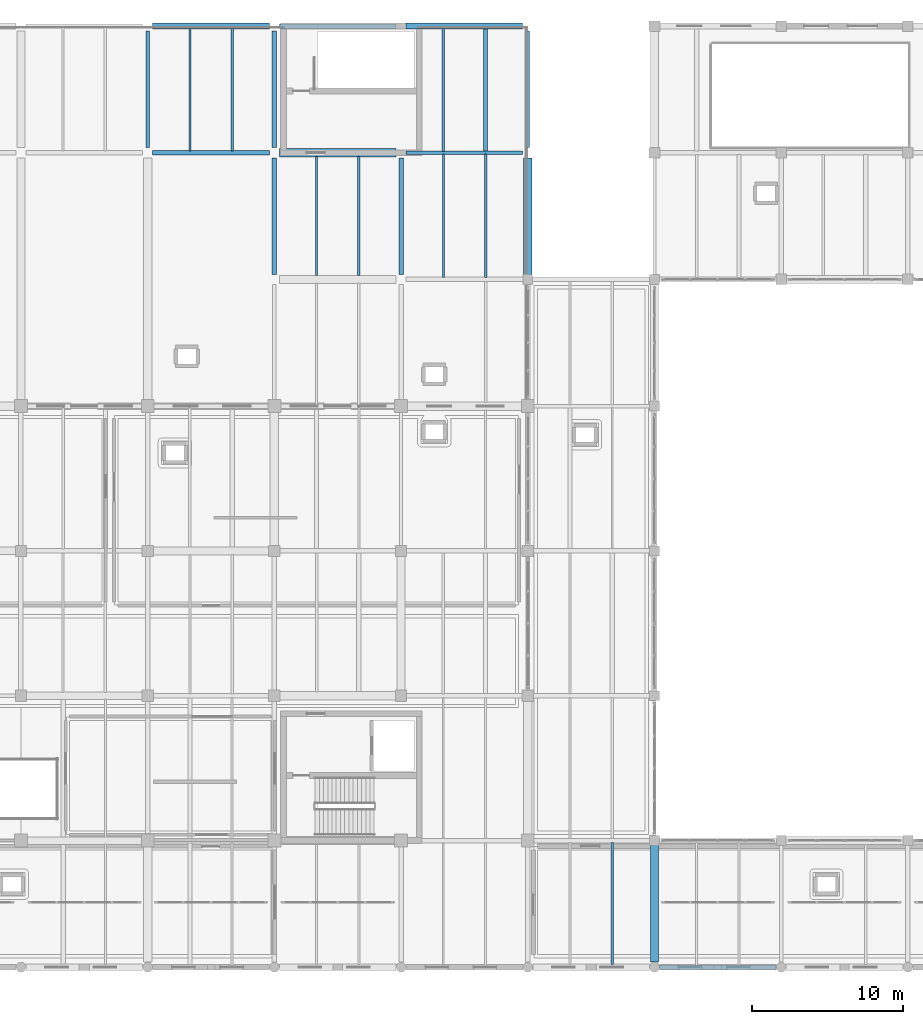
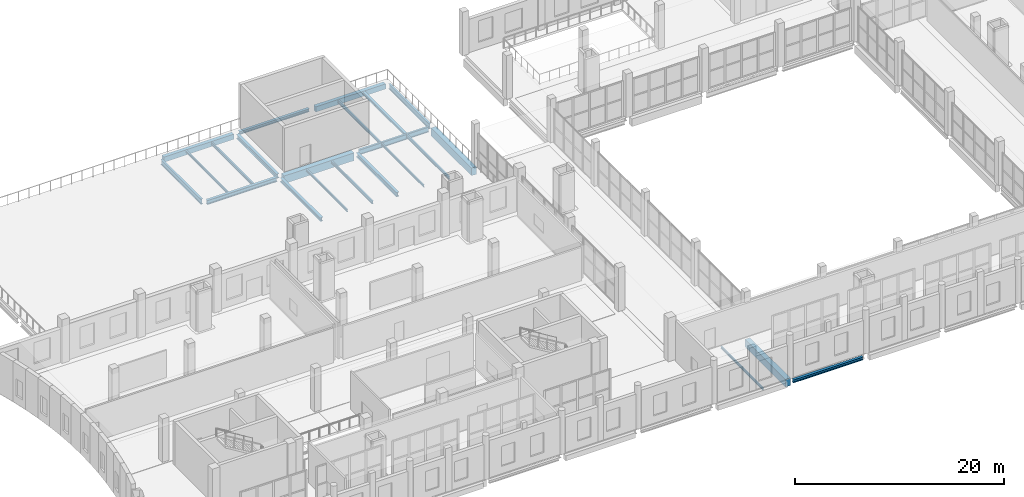
# One storey, part 16 of 73: 23 beams.
"""IFC4 building model written with IfcOpenShell, lengths in metres."""

from ifc_helpers import new_model, si_unit, direction, frame, origin, origin_2d, place, context, subcontext, project, spatial, rectangle, i_section, extrude, material, material_profile, profile_set, type_object, element, save


model = new_model("IFC4")

# Units and contexts
model_context = context("Model", 3, precision=1e-05, world=origin(), true_north=direction((0.0, 1.0)))
body_context = subcontext(model_context, "Body", "Model", "MODEL_VIEW")
ifc_project = project(units=[si_unit("LENGTHUNIT", "METRE"), si_unit("AREAUNIT", "SQUARE_METRE"), si_unit("VOLUMEUNIT", "CUBIC_METRE"), si_unit("PLANEANGLEUNIT", "RADIAN"), si_unit("MASSUNIT", "GRAM", prefix="KILO")], contexts=[model_context])

# Site, building, storey
site_placement = place(None, origin())
site = spatial("IfcSite", under=ifc_project, at=site_placement, CompositionType="ELEMENT")
building_placement = place(site_placement, origin())
building = spatial("IfcBuilding", under=site, at=building_placement, Name="Zulmaris Art Gallery", CompositionType="ELEMENT")
storey_placement = place(building_placement, frame((0.0, 0.0, 10.5)))
storey = spatial("IfcBuildingStorey", under=building, at=storey_placement, Name="L02", CompositionType="ELEMENT", Elevation=10.5)

# Beams
ifc_material_1 = material(Name="Steel S355J2", Category="steel")
ifc_material_profile_1 = material_profile(ifc_material_1, i_section(OverallWidth=0.219970703125, OverallDepth=0.60009765625, WebThickness=0.011962890625, FlangeThickness=0.01904296875, FilletRadius=0.02392578125, at=origin_2d()), Name="IPE 600")
ifc_profile_set_1 = profile_set([ifc_material_profile_1], Name="Steel S355J2")
beam_type_1 = type_object("IfcBeamType", Name="BEAM-BM07", PredefinedType="BEAM", material=ifc_profile_set_1)
for number, where, z_axis, x_axis, name in (
    (1, (74.735107421875, 67.199951171875, -0.699951171875), (1.0, 0.0, 0.0), (0.0, 1.0, 0.0), "L02 X-girder (74.4..82.8, y=67.2)"),
    (2, (57.60009765625, 67.534912109375, -0.699951171875), (0.0, 1.0, 0.0), (-1.0, 0.0, 0.0), "L02 Y-girder (x=57.6, 67.2..75.6)"),
    (3, (82.800048828125, 67.534912109375, -0.695068359375), (0.0, 1.0, 0.0), (-1.0, 0.0, 0.0), "L02 Y-girder (x=82.8, 67.2..75.6)"),
):
    element("IfcBeam", number, at=place(storey_placement, frame(where, z_axis=z_axis, x_axis=x_axis)), inside=storey, type_object=beam_type_1, Name=name, PredefinedType="BEAM", context=body_context, shape_type="SweptSolid", body=[
        extrude(i_section(OverallWidth=0.219970703125, OverallDepth=0.60009765625, WebThickness=0.011962890625, FlangeThickness=0.01904296875, FilletRadius=0.02392578125, at=origin_2d()), origin(), (0.0, 0.0, 1.0), 7.72998046875),
    ])
ifc_material_profile_2 = material_profile(ifc_material_1, i_section(OverallWidth=0.300048828125, OverallDepth=0.43994140625, WebThickness=0.011474609375, FlangeThickness=0.02099609375, FilletRadius=0.027099609375, at=origin_2d()), Name="HEA 450")
ifc_profile_set_2 = profile_set([ifc_material_profile_2], Name="Steel S355J2")
beam_type_2 = type_object("IfcBeamType", Name="BEAM-BM10", PredefinedType="BEAM", material=ifc_profile_set_2)
beam_1_placement = place(storey_placement, frame((66.0, 59.135009765625, -0.6201171875), z_axis=(0.0, 1.0, 0.0), x_axis=(-1.0, 0.0, 0.0)))
element("IfcBeam", 4, at=beam_1_placement, inside=storey, type_object=beam_type_2, Name="L02 Y-girder (x=66.0, 58.8..67.2)", PredefinedType="BEAM", context=body_context, shape_type="SweptSolid", body=[
    extrude(i_section(OverallWidth=0.300048828125, OverallDepth=0.43994140625, WebThickness=0.011474609375, FlangeThickness=0.02099609375, FilletRadius=0.027099609375, at=origin_2d()), origin(), (0.0, 0.0, 1.0), 7.72998046875),
])
ifc_material_profile_3 = material_profile(ifc_material_1, i_section(OverallWidth=0.300048828125, OverallDepth=0.5, WebThickness=0.014404296875, FlangeThickness=0.028076171875, FilletRadius=0.027099609375, at=origin_2d()), Name="HEB 500")
ifc_profile_set_3 = profile_set([ifc_material_profile_3], Name="Steel S355J2")
beam_type_3 = type_object("IfcBeamType", Name="BEAM-BM14", PredefinedType="BEAM", material=ifc_profile_set_3)
for number, where, z_axis, x_axis, name in (
    (5, (57.93505859375, 67.199951171875, -0.64501953125), (1.0, 0.0, 0.0), (0.0, 1.0, 0.0), "L02 X-girder (57.6..66.0, y=67.2)"),
    (6, (66.0, 67.534912109375, -0.64990234375), (0.0, 1.0, 0.0), (-1.0, 0.0, 0.0), "L02 Y-girder (x=66.0, 67.2..75.6)"),
    (7, (74.39990234375, 59.135009765625, -0.64990234375), (0.0, 1.0, 0.0), (-1.0, 0.0, 0.0), "L02 Y-girder (x=74.4, 58.8..67.2)"),
):
    element("IfcBeam", number, at=place(storey_placement, frame(where, z_axis=z_axis, x_axis=x_axis)), inside=storey, type_object=beam_type_3, Name=name, PredefinedType="BEAM", context=body_context, shape_type="SweptSolid", body=[
        extrude(i_section(OverallWidth=0.300048828125, OverallDepth=0.5, WebThickness=0.014404296875, FlangeThickness=0.028076171875, FilletRadius=0.027099609375, at=origin_2d()), origin(), (0.0, 0.0, 1.0), 7.72998046875),
    ])
ifc_material_2 = material(Name="Concrete C40/50", Category="concrete")
ifc_material_profile_4 = material_profile(ifc_material_2, rectangle(XDim=0.550048828125, YDim=0.89990234375, at=origin_2d()), Name="RC 550x900")
ifc_profile_set_4 = profile_set([ifc_material_profile_4], Name="Concrete C40/50")
beam_type_4 = type_object("IfcBeamType", Name="BEAM-BM21", PredefinedType="BEAM", material=ifc_profile_set_4)
beam_2_placement = place(storey_placement, frame((66.3349609375, 67.199951171875, -0.85009765625), z_axis=(1.0, 0.0, 0.0), x_axis=(0.0, 1.0, 0.0)))
element("IfcBeam", 8, at=beam_2_placement, inside=storey, type_object=beam_type_4, Name="L02 X-girder (66.0..74.4, y=67.2)", PredefinedType="BEAM", context=body_context, shape_type="SweptSolid", body=[
    extrude(rectangle(XDim=0.550048828125, YDim=0.89990234375, at=origin_2d()), origin(), (0.0, 0.0, 1.0), 7.72998046875),
])
beam_3_placement = place(storey_placement, frame((82.800048828125, 59.110107421875, -0.85009765625), z_axis=(0.0, 1.0, 0.0), x_axis=(-1.0, 0.0, 0.0)))
element("IfcBeam", 9, at=beam_3_placement, inside=storey, type_object=beam_type_4, Name="L02 Y-girder (x=82.8, 58.8..67.2)", PredefinedType="BEAM", context=body_context, shape_type="SweptSolid", body=[
    extrude(rectangle(XDim=0.550048828125, YDim=0.89990234375, at=origin_2d()), origin(), (0.0, 0.0, 1.0), 7.7548828125),
])
beam_4_placement = place(storey_placement, frame((91.199951171875, 13.534912109375, -0.85009765625), z_axis=(0.0, 1.0, 0.0), x_axis=(-1.0, 0.0, 0.0)))
element("IfcBeam", 10, at=beam_4_placement, inside=storey, type_object=beam_type_4, Name="L02 Y-girder (x=91.2, 13.2..21.6)", PredefinedType="BEAM", context=body_context, shape_type="SweptSolid", body=[
    extrude(rectangle(XDim=0.550048828125, YDim=0.89990234375, at=origin_2d()), origin(), (0.0, 0.0, 1.0), 7.755126953125),
])
ifc_material_profile_5 = material_profile(ifc_material_1, i_section(OverallWidth=0.135009765625, OverallDepth=0.27001953125, WebThickness=0.006591796875, FlangeThickness=0.01025390625, FilletRadius=0.014892578125, at=origin_2d()), Name="IPE 270")
ifc_profile_set_5 = profile_set([ifc_material_profile_5], Name="Steel S355J2")
beam_type_5 = type_object("IfcBeamType", Name="BEAM-JS02", PredefinedType="JOIST", material=ifc_profile_set_5)
beam_5_placement = place(storey_placement, frame((60.39990234375, 67.324951171875, -0.534912109375), z_axis=(0.0, 1.0, 0.0), x_axis=(-1.0, 0.0, 0.0)))
element("IfcBeam", 11, at=beam_5_placement, inside=storey, type_object=beam_type_5, Name="L02 secondary joist at x=60.4", PredefinedType="JOIST", context=body_context, shape_type="SweptSolid", body=[
    extrude(i_section(OverallWidth=0.135009765625, OverallDepth=0.27001953125, WebThickness=0.006591796875, FlangeThickness=0.01025390625, FilletRadius=0.014892578125, at=origin_2d()), origin(), (0.0, 0.0, 1.0), 8.10009765625),
])
beam_6_placement = place(storey_placement, frame((68.800048828125, 59.050048828125, -0.534912109375), z_axis=(0.0, 1.0, 0.0), x_axis=(-1.0, 0.0, 0.0)))
element("IfcBeam", 12, at=beam_6_placement, inside=storey, type_object=beam_type_5, Name="L02 secondary joist at x=68.8", PredefinedType="JOIST", context=body_context, shape_type="SweptSolid", body=[
    extrude(i_section(OverallWidth=0.135009765625, OverallDepth=0.27001953125, WebThickness=0.006591796875, FlangeThickness=0.01025390625, FilletRadius=0.014892578125, at=origin_2d()), origin(), (0.0, 0.0, 1.0), 7.89990234375),
])
beam_7_placement = place(storey_placement, frame((77.199951171875, 58.925048828125, -0.534912109375), z_axis=(0.0, 1.0, 0.0), x_axis=(-1.0, 0.0, 0.0)))
element("IfcBeam", 13, at=beam_7_placement, inside=storey, type_object=beam_type_5, Name="L02 secondary joist at x=77.2", PredefinedType="JOIST", context=body_context, shape_type="SweptSolid", body=[
    extrude(i_section(OverallWidth=0.135009765625, OverallDepth=0.27001953125, WebThickness=0.006591796875, FlangeThickness=0.01025390625, FilletRadius=0.014892578125, at=origin_2d()), origin(), (0.0, 0.0, 1.0), 8.18994140625),
])
beam_8_placement = place(storey_placement, frame((88.39990234375, 13.375, -0.534912109375), z_axis=(0.0, 1.0, 0.0), x_axis=(-1.0, 0.0, 0.0)))
element("IfcBeam", 14, at=beam_8_placement, inside=storey, type_object=beam_type_5, Name="L02 secondary joist at x=88.4", PredefinedType="JOIST", context=body_context, shape_type="SweptSolid", body=[
    extrude(i_section(OverallWidth=0.135009765625, OverallDepth=0.27001953125, WebThickness=0.006591796875, FlangeThickness=0.01025390625, FilletRadius=0.014892578125, at=origin_2d()), origin(), (0.0, 0.0, 1.0), 8.10009765625),
])
ifc_material_profile_6 = material_profile(ifc_material_1, i_section(OverallWidth=0.159912109375, OverallDepth=0.330078125, WebThickness=0.007568359375, FlangeThickness=0.011474609375, FilletRadius=0.01806640625, at=origin_2d()), Name="IPE 330")
ifc_profile_set_6 = profile_set([ifc_material_profile_6], Name="Steel S355J2")
beam_type_6 = type_object("IfcBeamType", Name="BEAM-JS03", PredefinedType="JOIST", material=ifc_profile_set_6)
beam_9_placement = place(storey_placement, frame((63.199951171875, 67.324951171875, -0.56494140625), z_axis=(0.0, 1.0, 0.0), x_axis=(-1.0, 0.0, 0.0)))
element("IfcBeam", 15, at=beam_9_placement, inside=storey, type_object=beam_type_6, Name="L02 secondary joist at x=63.2", PredefinedType="JOIST", context=body_context, shape_type="SweptSolid", body=[
    extrude(i_section(OverallWidth=0.159912109375, OverallDepth=0.330078125, WebThickness=0.007568359375, FlangeThickness=0.011474609375, FilletRadius=0.01806640625, at=origin_2d()), origin(), (0.0, 0.0, 1.0), 8.10009765625),
])
beam_10_placement = place(storey_placement, frame((71.60009765625, 59.050048828125, -0.56494140625), z_axis=(0.0, 1.0, 0.0), x_axis=(-1.0, 0.0, 0.0)))
element("IfcBeam", 16, at=beam_10_placement, inside=storey, type_object=beam_type_6, Name="L02 secondary joist at x=71.6", PredefinedType="JOIST", context=body_context, shape_type="SweptSolid", body=[
    extrude(i_section(OverallWidth=0.159912109375, OverallDepth=0.330078125, WebThickness=0.007568359375, FlangeThickness=0.011474609375, FilletRadius=0.01806640625, at=origin_2d()), origin(), (0.0, 0.0, 1.0), 7.89990234375),
])
beam_11_placement = place(storey_placement, frame((80.0, 58.925048828125, -0.56494140625), z_axis=(0.0, 1.0, 0.0), x_axis=(-1.0, 0.0, 0.0)))
element("IfcBeam", 17, at=beam_11_placement, inside=storey, type_object=beam_type_6, Name="L02 secondary joist at x=80.0", PredefinedType="JOIST", context=body_context, shape_type="SweptSolid", body=[
    extrude(i_section(OverallWidth=0.159912109375, OverallDepth=0.330078125, WebThickness=0.007568359375, FlangeThickness=0.011474609375, FilletRadius=0.01806640625, at=origin_2d()), origin(), (0.0, 0.0, 1.0), 8.18994140625),
])
beam_12_placement = place(storey_placement, frame((77.199951171875, 67.284912109375, -0.56494140625), z_axis=(0.0, 1.0, 0.0), x_axis=(-1.0, 0.0, 0.0)))
element("IfcBeam", 18, at=beam_12_placement, inside=storey, type_object=beam_type_6, Name="L02 secondary joist at x=77.2", PredefinedType="JOIST", context=body_context, shape_type="SweptSolid", body=[
    extrude(i_section(OverallWidth=0.159912109375, OverallDepth=0.330078125, WebThickness=0.007568359375, FlangeThickness=0.011474609375, FilletRadius=0.01806640625, at=origin_2d()), origin(), (0.0, 0.0, 1.0), 8.14013671875),
])
ifc_material_profile_7 = material_profile(ifc_material_1, i_section(OverallWidth=0.280029296875, OverallDepth=0.27001953125, WebThickness=0.008056640625, FlangeThickness=0.012939453125, FilletRadius=0.02392578125, at=origin_2d()), Name="HEA 280")
ifc_profile_set_7 = profile_set([ifc_material_profile_7], Name="Steel S355J2")
beam_type_7 = type_object("IfcBeamType", Name="BEAM-JS04", PredefinedType="JOIST", material=ifc_profile_set_7)
beam_13_placement = place(storey_placement, frame((80.0, 67.284912109375, -0.534912109375), z_axis=(0.0, 1.0, 0.0), x_axis=(-1.0, 0.0, 0.0)))
element("IfcBeam", 19, at=beam_13_placement, inside=storey, type_object=beam_type_7, Name="L02 secondary joist at x=80.0", PredefinedType="JOIST", context=body_context, shape_type="SweptSolid", body=[
    extrude(i_section(OverallWidth=0.280029296875, OverallDepth=0.27001953125, WebThickness=0.008056640625, FlangeThickness=0.012939453125, FilletRadius=0.02392578125, at=origin_2d()), origin(), (0.0, 0.0, 1.0), 8.14013671875),
])
ifc_material_profile_8 = material_profile(ifc_material_1, i_section(OverallWidth=0.300048828125, OverallDepth=0.35009765625, WebThickness=0.010009765625, FlangeThickness=0.017578125, FilletRadius=0.027099609375, at=origin_2d()), Name="HEA 360")
ifc_profile_set_8 = profile_set([ifc_material_profile_8], Name="Steel S355J2")
beam_type_8 = type_object("IfcBeamType", Name="BEAM-SP01", PredefinedType="SPANDREL", material=ifc_profile_set_8)
for number, where, z_axis, x_axis, name in (
    (20, (91.534912109375, 13.199951171875, -0.574951171875), (1.0, 0.0, 0.0), (0.0, 1.0, 0.0), "L02 X-girder (91.2..99.6, y=13.2)"),
    (21, (66.3349609375, 75.60009765625, -0.574951171875), (1.0, 0.0, 0.0), (0.0, 1.0, 0.0), "L02 X-girder (66.0..74.4, y=75.6)"),
):
    element("IfcBeam", number, at=place(storey_placement, frame(where, z_axis=z_axis, x_axis=x_axis)), inside=storey, type_object=beam_type_8, Name=name, PredefinedType="SPANDREL", context=body_context, shape_type="SweptSolid", body=[
        extrude(i_section(OverallWidth=0.300048828125, OverallDepth=0.35009765625, WebThickness=0.010009765625, FlangeThickness=0.017578125, FilletRadius=0.027099609375, at=origin_2d()), origin(), (0.0, 0.0, 1.0), 7.72998046875),
    ])
ifc_material_profile_9 = material_profile(ifc_material_2, rectangle(XDim=0.39990234375, YDim=0.60009765625, at=origin_2d()), Name="RC 400x600")
ifc_profile_set_9 = profile_set([ifc_material_profile_9], Name="Concrete C40/50")
beam_type_9 = type_object("IfcBeamType", Name="BEAM-SP03", PredefinedType="SPANDREL", material=ifc_profile_set_9)
for number, where, z_axis, x_axis, name in (
    (22, (57.93505859375, 75.60009765625, -0.699951171875), (1.0, 0.0, 0.0), (0.0, 1.0, 0.0), "L02 X-girder (57.6..66.0, y=75.6)"),
    (23, (74.735107421875, 75.60009765625, -0.699951171875), (1.0, 0.0, 0.0), (0.0, 1.0, 0.0), "L02 X-girder (74.4..82.8, y=75.6)"),
):
    element("IfcBeam", number, at=place(storey_placement, frame(where, z_axis=z_axis, x_axis=x_axis)), inside=storey, type_object=beam_type_9, Name=name, PredefinedType="SPANDREL", context=body_context, shape_type="SweptSolid", body=[
        extrude(rectangle(XDim=0.39990234375, YDim=0.60009765625, at=origin_2d()), origin(), (0.0, 0.0, 1.0), 7.72998046875),
    ])

save(model, "model.ifc")
